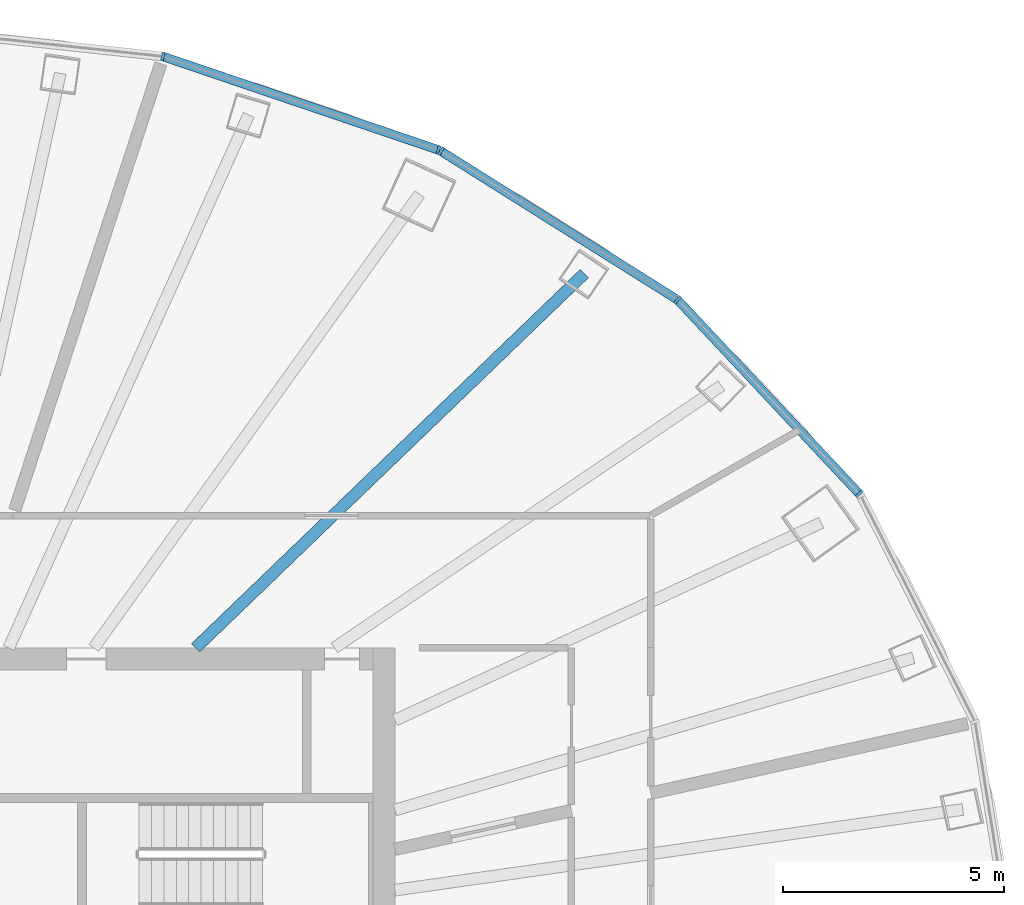
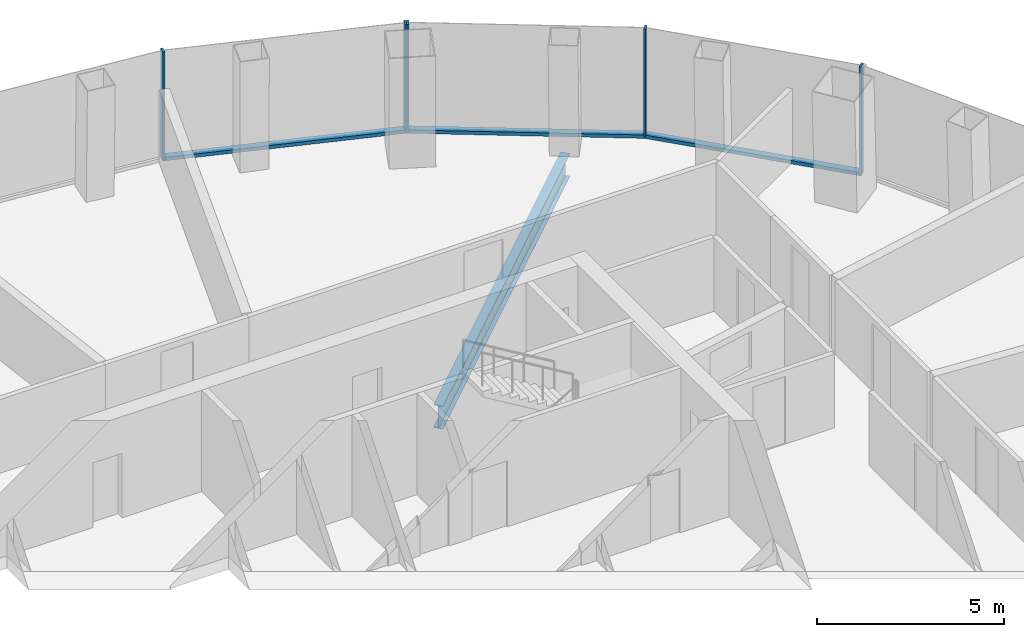
# One storey, part 6 of 12: 8 members, 1 beam, 2 elements without a shape of their own.
"""IFC4 building model written with IfcOpenShell, lengths in metres."""

from ifc_helpers import new_model, si_unit, direction, frame, origin, origin_2d, place, context, subcontext, project, spatial, rectangle, i_section, extrude, material, layer, layer_set, material_profile, profile_set, type_object, element, aggregate, save


model = new_model("IFC4")

# Units and contexts
model_context = context("Model", 3, precision=1e-05, world=origin(), true_north=direction((0.0, 1.0)))
body_context = subcontext(model_context, "Body", "Model", "MODEL_VIEW")
ifc_project = project(units=[si_unit("LENGTHUNIT", "METRE"), si_unit("AREAUNIT", "SQUARE_METRE"), si_unit("VOLUMEUNIT", "CUBIC_METRE"), si_unit("PLANEANGLEUNIT", "RADIAN"), si_unit("MASSUNIT", "GRAM", prefix="KILO")], contexts=[model_context])

# Site, building, storey
site_placement = place(None, origin())
site = spatial("IfcSite", under=ifc_project, at=site_placement, CompositionType="ELEMENT")
building_placement = place(site_placement, origin())
building = spatial("IfcBuilding", under=site, at=building_placement, Name="Siaravel Broadcast Tower", CompositionType="ELEMENT")
storey_placement = place(building_placement, frame((0.0, 0.0, 100.800048828125)))
storey = spatial("IfcBuildingStorey", under=building, at=storey_placement, Name="L23", CompositionType="ELEMENT", Elevation=100.800048828125)

# Beam
ifc_material_1 = material(Name="Steel S355", Category="steel")
ifc_material_profile_1 = material_profile(ifc_material_1, i_section(OverallWidth=0.26513671875, OverallDepth=0.75390625, WebThickness=0.0126953125, FlangeThickness=0.017578125, FilletRadius=0.0166015625, at=origin_2d()))
ifc_profile_set_1 = profile_set([ifc_material_profile_1], Name="Steel S355")
beam_type = type_object("IfcBeamType", Name="BM-UB 762x267x147", PredefinedType="BEAM", material=ifc_profile_set_1)
beam_placement = place(storey_placement, frame((16.293701171875, 15.688720703125, -0.527099609375), z_axis=(-0.720346054, -0.693614852, 0.0), x_axis=(0.693614852, -0.720346054, 0.0)))
element("IfcBeam", 1, at=beam_placement, inside=storey, type_object=beam_type, Name="Radial beam RB06", PredefinedType="BEAM", context=body_context, shape_type="SweptSolid", body=[
    extrude(i_section(OverallWidth=0.26513671875, OverallDepth=0.75390625, WebThickness=0.0126953125, FlangeThickness=0.017578125, FilletRadius=0.0166015625, at=origin_2d()), origin(), (0.0, 0.0, 1.0), 12.238525390625),
])

# Curtain wall, members
ifc_material_2 = material(Name="Aluminium 6063-T6", Category="aluminium")
ifc_layer = layer(ifc_material_2, 0.199951171875)
ifc_layer_set = layer_set([ifc_layer], Name="Aluminium 6063-T6")
curtain_wall_type = type_object("IfcCurtainWallType", Name="Unitised curtain wall, zone 2", PredefinedType="NOTDEFINED", material=ifc_layer_set)
curtain_wall_1_placement = place(storey_placement, origin())
curtain_wall_1 = element("IfcCurtainWall", 2, at=curtain_wall_1_placement, inside=storey, type_object=curtain_wall_type, Name="L23 Unitised curtain wall, zone 2 02", PredefinedType="NOTDEFINED")
ifc_material_profile_2 = material_profile(ifc_material_2, rectangle(XDim=0.199951171875, YDim=0.06494140625, at=origin_2d()))
ifc_profile_set_2 = profile_set([ifc_material_profile_2], Name="Aluminium 6063-T6")
member_type_1 = type_object("IfcMemberType", Name="CW-Z2 mullion", PredefinedType="MULLION", material=ifc_profile_set_2)
member_1_placement = place(storey_placement, frame((22.526123046875, 10.69677734375, 0.0), z_axis=(0.0, 0.0, 1.0), x_axis=(-0.729804854, -0.683655524, 0.0)))
member_1 = element("IfcMember", 3, at=member_1_placement, type_object=member_type_1, Name="CW-Z2 mullion 1", PredefinedType="MULLION", context=body_context, shape_type="SweptSolid", body=[
    extrude(rectangle(XDim=0.199951171875, YDim=0.06494140625, at=origin_2d()), origin(), (0.0, 0.0, 1.0), 3.550048828125),
])
member_2_placement = place(storey_placement, frame((18.408935546875, 15.091796875, 0.0), z_axis=(0.0, 0.0, 1.0), x_axis=(-0.636218267, -0.771509117, 0.0)))
member_2 = element("IfcMember", 4, at=member_2_placement, type_object=member_type_1, Name="CW-Z2 mullion 2", PredefinedType="MULLION", context=body_context, shape_type="SweptSolid", body=[
    extrude(rectangle(XDim=0.199951171875, YDim=0.06494140625, at=origin_2d()), origin(), (0.0, 0.0, 1.0), 3.550048828125),
])
member_3_placement = place(storey_placement, frame((13.043701171875, 18.464111328125, 0.0), z_axis=(0.0, 0.0, 1.0), x_axis=(-0.5321489, -0.846650783, 0.0)))
member_3 = element("IfcMember", 5, at=member_3_placement, type_object=member_type_1, Name="CW-Z2 mullion 3", PredefinedType="MULLION", context=body_context, shape_type="SweptSolid", body=[
    extrude(rectangle(XDim=0.199951171875, YDim=0.06494140625, at=origin_2d()), origin(), (0.0, 0.0, 1.0), 3.550048828125),
])

curtain_wall_2_placement = place(storey_placement, origin())
curtain_wall_2 = element("IfcCurtainWall", 6, at=curtain_wall_2_placement, inside=storey, type_object=curtain_wall_type, Name="L23 Unitised curtain wall, zone 2 03", PredefinedType="NOTDEFINED")
member_4_placement = place(storey_placement, frame((12.9853515625, 18.491943359375, 0.0), z_axis=(0.0, 0.0, 1.0), x_axis=(-0.321300433, -0.946977313, 0.0)))
member_4 = element("IfcMember", 7, at=member_4_placement, type_object=member_type_1, Name="CW-Z2 mullion 1", PredefinedType="MULLION", context=body_context, shape_type="SweptSolid", body=[
    extrude(rectangle(XDim=0.199951171875, YDim=0.06494140625, at=origin_2d()), origin(), (0.0, 0.0, 1.0), 3.550048828125),
])
member_5_placement = place(storey_placement, frame((6.7373046875, 20.61181640625, 0.0), z_axis=(0.0, 0.0, 1.0), x_axis=(-0.215557941, -0.976491052, 0.0)))
member_5 = element("IfcMember", 8, at=member_5_placement, type_object=member_type_1, Name="CW-Z2 mullion 2", PredefinedType="MULLION", context=body_context, shape_type="SweptSolid", body=[
    extrude(rectangle(XDim=0.199951171875, YDim=0.06494140625, at=origin_2d()), origin(), (0.0, 0.0, 1.0), 3.550048828125),
])

# Member
ifc_material_profile_3 = material_profile(ifc_material_2, rectangle(XDim=0.199951171875, YDim=0.110107421875, at=origin_2d()))
ifc_profile_set_3 = profile_set([ifc_material_profile_3], Name="Aluminium 6063-T6")
member_type_2 = type_object("IfcMemberType", Name="CW-Z2 transom", PredefinedType="USERDEFINED", material=ifc_profile_set_3)
member_6_placement = place(storey_placement, frame((22.50390625, 10.720458984375, 0.054931640625), z_axis=(-0.6836357, 0.729823424, 0.0), x_axis=(-0.729823424, -0.6836357, 0.0)))
member_6 = element("IfcMember", 9, at=member_6_placement, type_object=member_type_2, Name="CW-Z2 transom 1", ObjectType="TRANSOM", PredefinedType="USERDEFINED", context=body_context, shape_type="SweptSolid", body=[
    extrude(rectangle(XDim=0.199951171875, YDim=0.110107421875, at=origin_2d()), origin(), (0.0, 0.0, 1.0), 5.95703125),
])

member_7_placement = place(storey_placement, frame((18.381591796875, 15.109130859375, 0.054931640625), z_axis=(-0.846655089, 0.532142049, 0.0), x_axis=(-0.532142049, -0.846655089, 0.0)))
member_7 = element("IfcMember", 10, at=member_7_placement, type_object=member_type_2, Name="CW-Z2 transom 2", ObjectType="TRANSOM", PredefinedType="USERDEFINED", context=body_context, shape_type="SweptSolid", body=[
    extrude(rectangle(XDim=0.199951171875, YDim=0.110107421875, at=origin_2d()), origin(), (0.0, 0.0, 1.0), 6.272216796875),
])

aggregate(curtain_wall_1, [member_1, member_2, member_3, member_6, member_7])

member_8_placement = place(storey_placement, frame((12.95458984375, 18.502197265625, 0.054931640625), z_axis=(-0.946973015, 0.321313101, 0.0), x_axis=(-0.321313101, -0.946973015, 0.0)))
member_8 = element("IfcMember", 11, at=member_8_placement, type_object=member_type_2, Name="CW-Z2 transom 1", ObjectType="TRANSOM", PredefinedType="USERDEFINED", context=body_context, shape_type="SweptSolid", body=[
    extrude(rectangle(XDim=0.199951171875, YDim=0.110107421875, at=origin_2d()), origin(), (0.0, 0.0, 1.0), 6.532958984375),
])

aggregate(curtain_wall_2, [member_4, member_5, member_8])

save(model, "model.ifc")
